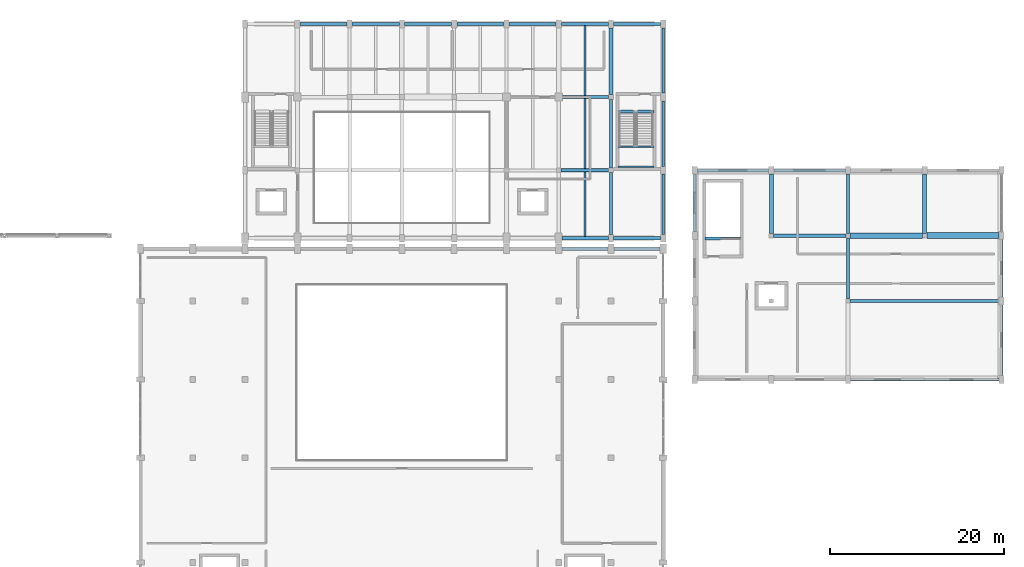
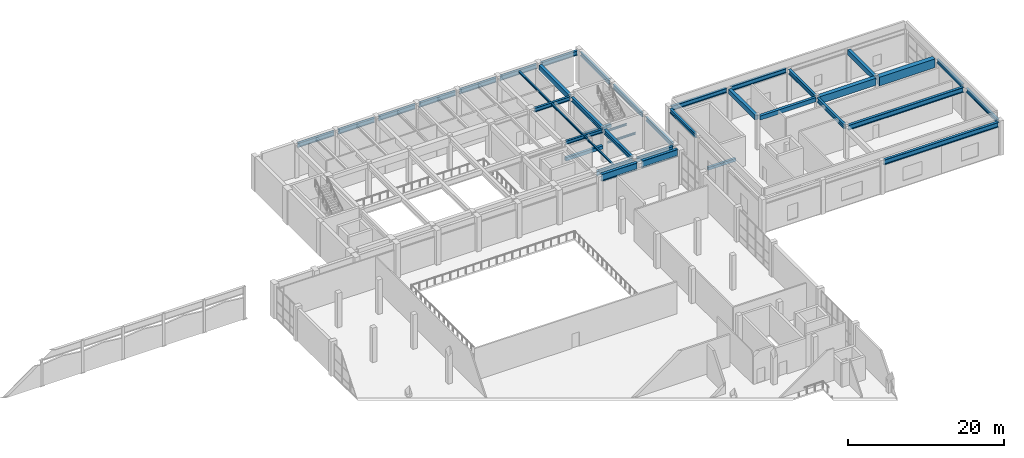
# One storey, part 19 of 41: 41 beams.
"""IFC4 building model written with IfcOpenShell, lengths in metres."""

import ifcopenshell
import ifcopenshell.guid

model = None  # the IFC model being written
_history = None  # IfcOwnerHistory: only IFC2X3 demands one
_inside = {}  # id of a spatial element -> (the spatial element, [elements in it])
_under = {}  # id of a project, library or spatial element -> (it, [spatial elements below it])
_declared = {}  # id of a project -> (the project, [libraries it declares])
_typed = {}  # id of a type object -> (the type object, [elements of that type])
_made_of = {}  # id of a material, layer set ... -> (it, [elements and type objects made of it])


def new_model(schema):
    """Start an empty IFC model of exactly this schema.

    Asked for "IFC4X3", IfcOpenShell would pick the latest addendum, in which some entities
    have other attributes; the version numbers below select the first issue.
    IFC2X3 requires an IfcOwnerHistory on every rooted entity: one is made here for all.
    """
    global model, _history
    if schema == "IFC4X3":
        model = ifcopenshell.file(schema_version=(4, 3, 0, 0))
    else:
        model = ifcopenshell.file(schema=schema)
    _inside.clear()
    _under.clear()
    _declared.clear()
    _typed.clear()
    _made_of.clear()
    _history = None
    if model.schema == "IFC2X3":
        org = make("IfcOrganization", Name="unknown")
        user = make(
            "IfcPersonAndOrganization",
            ThePerson=make("IfcPerson", FamilyName="unknown"),
            TheOrganization=org,
        )
        app = make(
            "IfcApplication",
            ApplicationDeveloper=org,
            Version="unknown",
            ApplicationFullName="unknown",
            ApplicationIdentifier="unknown",
        )
        _history = make(
            "IfcOwnerHistory",
            OwningUser=user,
            OwningApplication=app,
            ChangeAction="ADDED",
            CreationDate=0,
        )
    return model


def make(cls, **values):
    """One entity of the class cls with the attributes given. An attribute that is None is left unset."""
    return model.create_entity(
        cls, **{name: value for name, value in values.items() if value is not None}
    )


def rooted(cls, **values):
    """An entity with a GlobalId (a new one), such as an element, a storey or a relation."""
    return make(cls, GlobalId=ifcopenshell.guid.new(), OwnerHistory=_history, **values)


def si_unit(unit_type, name, prefix=None):
    """IfcSIUnit, for example si_unit("LENGTHUNIT", "METRE", prefix="MILLI")."""
    return make("IfcSIUnit", UnitType=unit_type, Prefix=prefix, Name=name)


def assignment(units):
    """IfcUnitAssignment: the units of a project."""
    return None if units is None else make("IfcUnitAssignment", Units=units)


def point(xyz):
    """IfcCartesianPoint."""
    return None if xyz is None else make("IfcCartesianPoint", Coordinates=xyz)


def direction(xyz):
    """IfcDirection."""
    return None if xyz is None else make("IfcDirection", DirectionRatios=xyz)


def frame(location, z_axis=None, x_axis=None):
    """IfcAxis2Placement3D, a coordinate frame: its origin and axes. An axis left out is left unset."""
    return make(
        "IfcAxis2Placement3D",
        Location=point(location),
        Axis=direction(z_axis),
        RefDirection=direction(x_axis),
    )


def frame_2d(location, x_axis=None):
    """IfcAxis2Placement2D, a coordinate frame in the plane: its origin and x axis."""
    return make(
        "IfcAxis2Placement2D", Location=point(location), RefDirection=direction(x_axis)
    )


def origin():
    """The frame at (0, 0, 0) with its axes left unset."""
    return frame((0.0, 0.0, 0.0))


def origin_2d():
    """The frame at (0, 0) in the plane with its x axis left unset."""
    return frame_2d((0.0, 0.0))


def place(relative_to, where):
    """IfcLocalPlacement: puts the frame where relative to a parent placement (None: the world)."""
    return make(
        "IfcLocalPlacement", PlacementRelTo=relative_to, RelativePlacement=where
    )


def context(
    kind, dimensions, precision=None, world=None, true_north=None, identifier=None
):
    """IfcGeometricRepresentationContext, for example the 3D "Model" context."""
    return make(
        "IfcGeometricRepresentationContext",
        ContextIdentifier=identifier,
        ContextType=kind,
        CoordinateSpaceDimension=dimensions,
        Precision=precision,
        WorldCoordinateSystem=world,
        TrueNorth=true_north,
    )


def subcontext(parent, identifier, kind, view, scale=None):
    """IfcGeometricRepresentationSubContext, for example "Body" below "Model"."""
    return make(
        "IfcGeometricRepresentationSubContext",
        ContextIdentifier=identifier,
        ContextType=kind,
        ParentContext=parent,
        TargetScale=scale,
        TargetView=view,
    )


def project(units=None, contexts=None):
    """IfcProject with its units and contexts."""
    return rooted(
        "IfcProject",
        Name="project",
        RepresentationContexts=contexts,
        UnitsInContext=assignment(units),
    )


def spatial(cls, under=None, at=None, **own):
    """A site, building, storey or space (cls), placed at a placement, below another one or the project."""
    s = rooted(cls, ObjectPlacement=at, **own)
    if under is not None:
        _under.setdefault(under.id(), (under, []))[1].append(s)
    return s


def profile(cls, at=None, kind="AREA", **sizes):
    """A parametric profile (cls). Its sizes go by their IFC names, for example OverallWidth=200.0."""
    return make(cls, ProfileType=kind, Position=at, **sizes)


def rectangle(**sizes):
    """IfcRectangleProfileDef."""
    return profile("IfcRectangleProfileDef", **sizes)


def i_section(**sizes):
    """IfcIShapeProfileDef."""
    return profile("IfcIShapeProfileDef", **sizes)


def extrude(swept, where, along, depth):
    """IfcExtrudedAreaSolid: the profile swept, set in the frame where, extruded along a direction by depth."""
    return make(
        "IfcExtrudedAreaSolid",
        SweptArea=swept,
        Position=where,
        ExtrudedDirection=direction(along),
        Depth=depth,
    )


def shape(context_of_items, identifier, shape_type, items):
    """IfcShapeRepresentation: the items that make up one representation, for example the "Body"."""
    return make(
        "IfcShapeRepresentation",
        ContextOfItems=context_of_items,
        RepresentationIdentifier=identifier,
        RepresentationType=shape_type,
        Items=items,
    )


def material(Name=None, Category=None):
    """IfcMaterial."""
    return make("IfcMaterial", Name=Name, Category=Category)


def material_profile(
    of_material, cross_section, Name=None, Category=None, Priority=None
):
    """IfcMaterialProfile: a cross section and its material."""
    return make(
        "IfcMaterialProfile",
        Name=Name,
        Material=of_material,
        Profile=cross_section,
        Priority=Priority,
        Category=Category,
    )


def profile_set(profiles, Name=None, composite=None):
    """IfcMaterialProfileSet."""
    return make(
        "IfcMaterialProfileSet",
        Name=Name,
        MaterialProfiles=profiles,
        CompositeProfile=composite,
    )


def made_of(thing, what):
    """Note that an element or type object is made of a material, layer set ...; save() writes the relation."""
    if what is not None:
        _made_of.setdefault(what.id(), (what, []))[1].append(thing)
    return thing


def type_object(cls, material=None, **own):
    """A type object (cls), such as IfcWallType, which elements share."""
    return made_of(rooted(cls, **own), material)


def element(
    cls,
    number,
    at=None,
    inside=None,
    cuts=None,
    type_object=None,
    material=None,
    context=None,
    identifier="Body",
    shape_type=None,
    held_by="IfcProductDefinitionShape",
    body=None,
    shapes=None,
    **own,
):
    """One element of the class cls, such as IfcWall. Its Tag is "e" and its number.

    at: its placement. inside: the storey or other place that contains it. cuts: it is an
    opening in that element (IfcRelVoidsElement). A single representation is given by context,
    identifier, shape_type and body (its items); several are given by shapes. held_by: the class
    of the entity that holds the representations. save() writes the other relations.
    """
    e = rooted(cls, Tag="e%d" % number, ObjectPlacement=at, **own)
    if body is not None:
        shapes = [shape(context, identifier, shape_type, body)]
    if shapes is not None:
        e.Representation = make(held_by, Representations=shapes)
    if inside is not None:
        _inside.setdefault(inside.id(), (inside, []))[1].append(e)
    if cuts is not None:
        rooted(
            "IfcRelVoidsElement", RelatingBuildingElement=cuts, RelatedOpeningElement=e
        )
    if type_object is not None:
        _typed.setdefault(type_object.id(), (type_object, []))[1].append(e)
    return made_of(e, material)


def aggregate(whole, parts):
    """IfcRelAggregates: a whole, such as a stair, and the parts it consists of."""
    return rooted("IfcRelAggregates", RelatingObject=whole, RelatedObjects=parts)


def save(model, path):
    """Write the relations noted so far, then the file.

    IfcRelAggregates (storeys below a building ...), IfcRelContainedInSpatialStructure (elements
    in a storey), IfcRelDefinesByType, IfcRelAssociatesMaterial and IfcRelDeclares: one each for
    every whole, place, type object, material and project.
    """
    for whole, parts in _under.values():
        aggregate(whole, parts)
    for where, things in _inside.values():
        rooted(
            "IfcRelContainedInSpatialStructure",
            RelatedElements=things,
            RelatingStructure=where,
        )
    for kind, things in _typed.values():
        rooted("IfcRelDefinesByType", RelatedObjects=things, RelatingType=kind)
    for what, things in _made_of.values():
        rooted("IfcRelAssociatesMaterial", RelatedObjects=things, RelatingMaterial=what)
    for by, libraries in _declared.values():
        rooted("IfcRelDeclares", RelatingContext=by, RelatedDefinitions=libraries)
    model.write(path)


model = new_model("IFC4")

# Units and contexts
model_context = context("Model", 3, precision=1e-05, world=origin(), true_north=direction((0.0, 1.0)))
body_context = subcontext(model_context, "Body", "Model", "MODEL_VIEW")
ifc_project = project(units=[si_unit("LENGTHUNIT", "METRE"), si_unit("AREAUNIT", "SQUARE_METRE"), si_unit("VOLUMEUNIT", "CUBIC_METRE"), si_unit("PLANEANGLEUNIT", "RADIAN"), si_unit("MASSUNIT", "GRAM", prefix="KILO")], contexts=[model_context])

# Site, building, storey
site_placement = place(None, origin())
site = spatial("IfcSite", under=ifc_project, at=site_placement, CompositionType="ELEMENT")
building_placement = place(site_placement, origin())
building = spatial("IfcBuilding", under=site, at=building_placement, Name="Vaelkrest Opera House", CompositionType="ELEMENT")
storey_placement = place(building_placement, frame((0.0, 0.0, 24.60009765625)))
storey = spatial("IfcBuildingStorey", under=building, at=storey_placement, Name="L05", CompositionType="ELEMENT", Elevation=24.60009765625)

# Beams
ifc_material_1 = material(Name="Concrete C50/60", Category="concrete")
ifc_material_profile_1 = material_profile(ifc_material_1, rectangle(XDim=0.39990234375, YDim=0.64990234375, at=origin_2d()), Name="RCB400X650")
ifc_profile_set_1 = profile_set([ifc_material_profile_1], Name="Concrete C50/60")
beam_type_1 = type_object("IfcBeamType", Name="B01", PredefinedType="BEAM", material=ifc_profile_set_1)
beam_1_placement = place(storey_placement, frame((42.64990234375, 17.699951171875, 4.77978515625), z_axis=(1.0, 0.0, 0.0), x_axis=(0.0, 1.0, 0.0)))
element("IfcBeam", 1, at=beam_1_placement, inside=storey, type_object=beam_type_1, Name="Beam BM-V4-L05-2437", PredefinedType="BEAM", context=body_context, shape_type="SweptSolid", body=[
    extrude(rectangle(XDim=0.39990234375, YDim=0.64990234375, at=origin_2d()), origin(), (0.0, 0.0, 1.0), 8.300048828125),
])
ifc_material_profile_2 = material_profile(ifc_material_1, rectangle(XDim=0.449951171875, YDim=0.75, at=origin_2d()), Name="RCB450X750")
ifc_profile_set_2 = profile_set([ifc_material_profile_2], Name="Concrete C50/60")
beam_type_2 = type_object("IfcBeamType", Name="B02", PredefinedType="BEAM", material=ifc_profile_set_2)
beam_2_placement = place(storey_placement, frame((24.0, 33.875, 4.72998046875), z_axis=(0.0, 1.0, 0.0), x_axis=(-1.0, 0.0, 0.0)))
element("IfcBeam", 2, at=beam_2_placement, inside=storey, type_object=beam_type_2, Name="Beam BM-V2-L05-1191", PredefinedType="BEAM", context=body_context, shape_type="SweptSolid", body=[
    extrude(rectangle(XDim=0.449951171875, YDim=0.75, at=origin_2d()), origin(), (0.0, 0.0, 1.0), 7.675048828125),
])
for number, where, z_axis, x_axis, name in (
    (3, (42.39990234375, 17.949951171875, 4.72998046875), (0.0, 1.0, 0.0), (-1.0, 0.0, 0.0), "Beam BM-V4-L05-2447"),
    (4, (60.0, 17.949951171875, 4.72998046875), (0.0, 1.0, 0.0), (-1.0, 0.0, 0.0), "Beam BM-V4-L05-2451"),
):
    element("IfcBeam", number, at=place(storey_placement, frame(where, z_axis=z_axis, x_axis=x_axis)), inside=storey, type_object=beam_type_2, Name=name, PredefinedType="BEAM", context=body_context, shape_type="SweptSolid", body=[
        extrude(rectangle(XDim=0.449951171875, YDim=0.75, at=origin_2d()), origin(), (0.0, 0.0, 1.0), 6.800048828125),
    ])
ifc_material_profile_3 = material_profile(ifc_material_1, rectangle(XDim=0.60009765625, YDim=1.10009765625, at=origin_2d()), Name="RCB600X1100")
ifc_profile_set_3 = profile_set([ifc_material_profile_3], Name="Concrete C50/60")
beam_type_3 = type_object("IfcBeamType", Name="B05", PredefinedType="BEAM", material=ifc_profile_set_3)
beam_3_placement = place(storey_placement, frame((51.449951171875, 17.699951171875, 4.554931640625), z_axis=(1.0, 0.0, 0.0), x_axis=(0.0, 1.0, 0.0)))
element("IfcBeam", 5, at=beam_3_placement, inside=storey, type_object=beam_type_3, Name="Beam BM-V4-L05-2438", PredefinedType="BEAM", context=body_context, shape_type="SweptSolid", body=[
    extrude(rectangle(XDim=0.60009765625, YDim=1.10009765625, at=origin_2d()), origin(), (0.0, 0.0, 1.0), 8.300048828125),
])
ifc_material_profile_4 = material_profile(ifc_material_1, rectangle(XDim=0.699951171875, YDim=1.35009765625, at=origin_2d()), Name="RCB700X1350")
ifc_profile_set_4 = profile_set([ifc_material_profile_4], Name="Concrete C50/60")
beam_type_4 = type_object("IfcBeamType", Name="B06", PredefinedType="BEAM", material=ifc_profile_set_4)
beam_4_placement = place(storey_placement, frame((60.25, 17.699951171875, 4.429931640625), z_axis=(1.0, 0.0, 0.0), x_axis=(0.0, 1.0, 0.0)))
element("IfcBeam", 6, at=beam_4_placement, inside=storey, type_object=beam_type_4, Name="Beam BM-V4-L05-2439", PredefinedType="BEAM", context=body_context, shape_type="SweptSolid", body=[
    extrude(rectangle(XDim=0.699951171875, YDim=1.35009765625, at=origin_2d()), origin(), (0.0, 0.0, 1.0), 8.25),
])
ifc_material_2 = material(Name="Steel A992 Gr50", Category="steel")
ifc_material_profile_5 = material_profile(ifc_material_2, i_section(OverallWidth=0.327880859375, OverallDepth=0.6279296875, WebThickness=0.0166015625, FlangeThickness=0.027587890625, at=origin_2d()), Name="W24X146")
ifc_profile_set_5 = profile_set([ifc_material_profile_5], Name="Steel A992 Gr50")
beam_type_5 = type_object("IfcBeamType", Name="B09", PredefinedType="BEAM", material=ifc_profile_set_5)
beam_5_placement = place(storey_placement, frame((18.449951171875, 33.60009765625, 4.791015625), z_axis=(1.0, 0.0, 0.0), x_axis=(0.0, 1.0, 0.0)))
element("IfcBeam", 7, at=beam_5_placement, inside=storey, type_object=beam_type_5, Name="Beam BM-V2-L05-1162", PredefinedType="BEAM", context=body_context, shape_type="SweptSolid", body=[
    extrude(i_section(OverallWidth=0.327880859375, OverallDepth=0.6279296875, WebThickness=0.0166015625, FlangeThickness=0.027587890625, at=origin_2d()), origin(), (0.0, 0.0, 1.0), 5.275146484375),
])
ifc_material_profile_6 = material_profile(ifc_material_2, i_section(OverallWidth=0.35498046875, OverallDepth=0.695068359375, WebThickness=0.015380859375, FlangeThickness=0.02490234375, at=origin_2d()), Name="W27X146")
ifc_profile_set_6 = profile_set([ifc_material_profile_6], Name="Steel A992 Gr50")
beam_type_6 = type_object("IfcBeamType", Name="B10", PredefinedType="BEAM", material=ifc_profile_set_6)
beam_6_placement = place(storey_placement, frame((24.0, 17.85009765625, 4.75732421875), z_axis=(0.0, 1.0, 0.0), x_axis=(-1.0, 0.0, 0.0)))
element("IfcBeam", 8, at=beam_6_placement, inside=storey, type_object=beam_type_6, Name="Beam BM-V2-L05-1189", PredefinedType="BEAM", context=body_context, shape_type="SweptSolid", body=[
    extrude(i_section(OverallWidth=0.35498046875, OverallDepth=0.695068359375, WebThickness=0.015380859375, FlangeThickness=0.02490234375, at=origin_2d()), origin(), (0.0, 0.0, 1.0), 7.074951171875),
])
beam_7_placement = place(storey_placement, frame((51.199951171875, 10.449951171875, 4.75732421875), z_axis=(0.0, 1.0, 0.0), x_axis=(-1.0, 0.0, 0.0)))
element("IfcBeam", 9, at=beam_7_placement, inside=storey, type_object=beam_type_6, Name="Beam BM-V4-L05-2449", PredefinedType="BEAM", context=body_context, shape_type="SweptSolid", body=[
    extrude(i_section(OverallWidth=0.35498046875, OverallDepth=0.695068359375, WebThickness=0.015380859375, FlangeThickness=0.02490234375, at=origin_2d()), origin(), (0.0, 0.0, 1.0), 7.0),
])
ifc_material_profile_7 = material_profile(ifc_material_2, i_section(OverallWidth=0.35791015625, OverallDepth=0.7060546875, WebThickness=0.018310546875, FlangeThickness=0.0302734375, at=origin_2d()), Name="W27X178")
ifc_profile_set_7 = profile_set([ifc_material_profile_7], Name="Steel A992 Gr50")
beam_type_7 = type_object("IfcBeamType", Name="B14", PredefinedType="BEAM", material=ifc_profile_set_7)
beam_8_placement = place(storey_placement, frame((24.0, 25.47509765625, 4.751953125), z_axis=(0.0, 1.0, 0.0), x_axis=(-1.0, 0.0, 0.0)))
element("IfcBeam", 10, at=beam_8_placement, inside=storey, type_object=beam_type_7, Name="Beam BM-V2-L05-1190", PredefinedType="BEAM", context=body_context, shape_type="SweptSolid", body=[
    extrude(i_section(OverallWidth=0.35791015625, OverallDepth=0.7060546875, WebThickness=0.018310546875, FlangeThickness=0.0302734375, at=origin_2d()), origin(), (0.0, 0.0, 1.0), 7.849853515625),
])
beam_9_placement = place(storey_placement, frame((51.199951171875, 17.949951171875, 4.751953125), z_axis=(0.0, 1.0, 0.0), x_axis=(-1.0, 0.0, 0.0)))
element("IfcBeam", 11, at=beam_9_placement, inside=storey, type_object=beam_type_7, Name="Beam BM-V4-L05-2450", PredefinedType="BEAM", context=body_context, shape_type="SweptSolid", body=[
    extrude(i_section(OverallWidth=0.35791015625, OverallDepth=0.7060546875, WebThickness=0.018310546875, FlangeThickness=0.0302734375, at=origin_2d()), origin(), (0.0, 0.0, 1.0), 6.800048828125),
])
ifc_material_profile_8 = material_profile(ifc_material_2, i_section(OverallWidth=0.384033203125, OverallDepth=0.785888671875, WebThickness=0.019775390625, FlangeThickness=0.033447265625, at=origin_2d()), Name="W30X211")
ifc_profile_set_8 = profile_set([ifc_material_profile_8], Name="Steel A992 Gr50")
beam_type_8 = type_object("IfcBeamType", Name="B16", PredefinedType="BEAM", material=ifc_profile_set_8)
beam_10_placement = place(storey_placement, frame((51.449951171875, 10.199951171875, 4.7119140625), z_axis=(1.0, 0.0, 0.0), x_axis=(0.0, 1.0, 0.0)))
element("IfcBeam", 12, at=beam_10_placement, inside=storey, type_object=beam_type_8, Name="Beam BM-V4-L05-2436", PredefinedType="BEAM", context=body_context, shape_type="SweptSolid", body=[
    extrude(i_section(OverallWidth=0.384033203125, OverallDepth=0.785888671875, WebThickness=0.019775390625, FlangeThickness=0.033447265625, at=origin_2d()), origin(), (0.0, 0.0, 1.0), 17.050048828125),
])
ifc_material_profile_9 = material_profile(ifc_material_2, i_section(OverallWidth=0.31494140625, OverallDepth=0.551025390625, WebThickness=0.01513671875, FlangeThickness=0.0244140625, at=origin_2d()), Name="W21X122")
ifc_profile_set_9 = profile_set([ifc_material_profile_9], Name="Steel A992 Gr50")
beam_type_9 = type_object("IfcBeamType", Name="B20", PredefinedType="BEAM", material=ifc_profile_set_9)
beam_11_placement = place(storey_placement, frame((18.27490234375, 25.199951171875, 4.829345703125), z_axis=(1.0, 0.0, 0.0), x_axis=(0.0, 1.0, 0.0)))
element("IfcBeam", 13, at=beam_11_placement, inside=storey, type_object=beam_type_9, Name="Beam BM-V2-L05-1156", PredefinedType="BEAM", context=body_context, shape_type="SweptSolid", body=[
    extrude(i_section(OverallWidth=0.31494140625, OverallDepth=0.551025390625, WebThickness=0.01513671875, FlangeThickness=0.0244140625, at=origin_2d()), origin(), (0.0, 0.0, 1.0), 5.4501953125),
])
ifc_material_profile_10 = material_profile(ifc_material_2, i_section(OverallWidth=0.2041015625, OverallDepth=0.257080078125, WebThickness=0.0087890625, FlangeThickness=0.015625, at=origin_2d()), Name="W10X45")
ifc_profile_set_10 = profile_set([ifc_material_profile_10], Name="Steel A992 Gr50")
beam_type_10 = type_object("IfcBeamType", Name="J01", PredefinedType="JOIST", material=ifc_profile_set_10)
beam_12_placement = place(storey_placement, frame((21.0, 17.577392578125, 4.976318359375), z_axis=(0.0, 1.0, 0.0), x_axis=(-1.0, 0.0, 0.0)))
element("IfcBeam", 14, at=beam_12_placement, inside=storey, type_object=beam_type_10, Name="Floor joist JST-V2-L05-1201", PredefinedType="JOIST", context=body_context, shape_type="SweptSolid", body=[
    extrude(i_section(OverallWidth=0.2041015625, OverallDepth=0.257080078125, WebThickness=0.0087890625, FlangeThickness=0.015625, at=origin_2d()), origin(), (0.0, 0.0, 1.0), 7.465087890625),
])
ifc_material_profile_11 = material_profile(ifc_material_2, i_section(OverallWidth=0.202880859375, OverallDepth=0.302978515625, WebThickness=0.007568359375, FlangeThickness=0.01318359375, at=origin_2d()), Name="W12X40")
ifc_profile_set_11 = profile_set([ifc_material_profile_11], Name="Steel A992 Gr50")
beam_type_11 = type_object("IfcBeamType", Name="J02", PredefinedType="JOIST", material=ifc_profile_set_11)
beam_13_placement = place(storey_placement, frame((21.0, 25.357421875, 4.953369140625), z_axis=(0.0, 1.0, 0.0), x_axis=(-1.0, 0.0, 0.0)))
element("IfcBeam", 15, at=beam_13_placement, inside=storey, type_object=beam_type_11, Name="Floor joist JST-V2-L05-1202", PredefinedType="JOIST", context=body_context, shape_type="SweptSolid", body=[
    extrude(i_section(OverallWidth=0.202880859375, OverallDepth=0.302978515625, WebThickness=0.007568359375, FlangeThickness=0.01318359375, at=origin_2d()), origin(), (0.0, 0.0, 1.0), 8.07861328125),
])
for number, where, z_axis, x_axis, name in (
    (16, (24.780029296875, 25.6201171875, 2.348388671875), (1.0, 0.0, 0.0), (0.0, 1.0, 0.0), "Stair landing bearer beam ST06 L05-1N"),
    (17, (24.780029296875, 27.909912109375, 2.348388671875), (1.0, 0.0, 0.0), (0.0, 1.0, 0.0), "Stair landing bearer beam ST06 L05-1F"),
):
    element("IfcBeam", number, at=place(storey_placement, frame(where, z_axis=z_axis, x_axis=x_axis)), inside=storey, type_object=beam_type_11, Name=name, PredefinedType="JOIST", context=body_context, shape_type="SweptSolid", body=[
        extrude(i_section(OverallWidth=0.202880859375, OverallDepth=0.302978515625, WebThickness=0.007568359375, FlangeThickness=0.01318359375, at=origin_2d()), origin(), (0.0, 0.0, 1.0), 4.139892578125),
    ])
ifc_material_profile_12 = material_profile(ifc_material_2, i_section(OverallWidth=0.25390625, OverallDepth=0.305908203125, WebThickness=0.0087890625, FlangeThickness=0.0146484375, at=origin_2d()), Name="W12X53")
ifc_profile_set_12 = profile_set([ifc_material_profile_12], Name="Steel A992 Gr50")
beam_type_12 = type_object("IfcBeamType", Name="J03", PredefinedType="JOIST", material=ifc_profile_set_12)
beam_14_placement = place(storey_placement, frame((21.0, 33.763916015625, 4.951904296875), z_axis=(0.0, 1.0, 0.0), x_axis=(-1.0, 0.0, 0.0)))
element("IfcBeam", 18, at=beam_14_placement, inside=storey, type_object=beam_type_12, Name="Floor joist JST-V2-L05-1203", PredefinedType="JOIST", context=body_context, shape_type="SweptSolid", body=[
    extrude(i_section(OverallWidth=0.25390625, OverallDepth=0.305908203125, WebThickness=0.0087890625, FlangeThickness=0.0146484375, at=origin_2d()), origin(), (0.0, 0.0, 1.0), 8.05859375),
])
ifc_material_profile_13 = material_profile(ifc_material_1, rectangle(XDim=0.35009765625, YDim=0.449951171875, at=origin_2d()), Name="RCB350X450")
ifc_profile_set_13 = profile_set([ifc_material_profile_13], Name="Concrete C50/60")
beam_type_13 = type_object("IfcBeamType", Name="LN01", PredefinedType="LINTEL", material=ifc_profile_set_13)
for number, where, z_axis, x_axis, name in (
    (19, (24.780029296875, 31.949951171875, -0.22509765625), (1.0, 0.0, 0.0), (0.0, 1.0, 0.0), "Stairwell trimmer beam ST06 L05"),
    (20, (34.780029296875, 17.35009765625, -0.22509765625), (1.0, 0.0, 0.0), (0.0, 1.0, 0.0), "Stairwell trimmer beam ST09 L05"),
):
    element("IfcBeam", number, at=place(storey_placement, frame(where, z_axis=z_axis, x_axis=x_axis)), inside=storey, type_object=beam_type_13, Name=name, PredefinedType="LINTEL", context=body_context, shape_type="SweptSolid", body=[
        extrude(rectangle(XDim=0.35009765625, YDim=0.449951171875, at=origin_2d()), origin(), (0.0, 0.0, 1.0), 4.139892578125),
    ])
ifc_material_profile_14 = material_profile(ifc_material_1, rectangle(XDim=0.39990234375, YDim=0.52001953125, at=origin_2d()), Name="RCB400X520")
ifc_profile_set_14 = profile_set([ifc_material_profile_14], Name="Concrete C50/60")
beam_type_14 = type_object("IfcBeamType", Name="LN02", PredefinedType="LINTEL", material=ifc_profile_set_14)
beam_15_placement = place(storey_placement, frame((18.25, 25.199951171875, 2.2998046875), z_axis=(1.0, 0.0, 0.0), x_axis=(0.0, 1.0, 0.0)))
element("IfcBeam", 21, at=beam_15_placement, inside=storey, type_object=beam_type_14, Name="Portal lintel L05-2", PredefinedType="LINTEL", context=body_context, shape_type="SweptSolid", body=[
    extrude(rectangle(XDim=0.39990234375, YDim=0.52001953125, at=origin_2d()), origin(), (0.0, 0.0, 1.0), 5.5),
])
ifc_material_profile_15 = material_profile(ifc_material_2, i_section(OverallWidth=0.323974609375, OverallDepth=0.611083984375, WebThickness=0.0126953125, FlangeThickness=0.01904296875, at=origin_2d()), Name="W24X104")
ifc_profile_set_15 = profile_set([ifc_material_profile_15], Name="Steel A992 Gr50")
beam_type_15 = type_object("IfcBeamType", Name="SP01", PredefinedType="SPANDREL", material=ifc_profile_set_15)
beam_16_placement = place(storey_placement, frame((30.0, 17.85009765625, 4.79931640625), z_axis=(0.0, 1.0, 0.0), x_axis=(-1.0, 0.0, 0.0)))
element("IfcBeam", 22, at=beam_16_placement, inside=storey, type_object=beam_type_15, Name="Beam BM-V2-L05-1192", PredefinedType="SPANDREL", context=body_context, shape_type="SweptSolid", body=[
    extrude(i_section(OverallWidth=0.323974609375, OverallDepth=0.611083984375, WebThickness=0.0126953125, FlangeThickness=0.01904296875, at=origin_2d()), origin(), (0.0, 0.0, 1.0), 6.89990234375),
])
for number, where, z_axis, x_axis, name in (
    (23, (30.0, 25.64990234375, 4.79931640625), (0.0, 1.0, 0.0), (-1.0, 0.0, 0.0), "Beam BM-V2-L05-1193"),
    (24, (30.0, 34.050048828125, 4.79931640625), (0.0, 1.0, 0.0), (-1.0, 0.0, 0.0), "Beam BM-V2-L05-1194"),
):
    element("IfcBeam", number, at=place(storey_placement, frame(where, z_axis=z_axis, x_axis=x_axis)), inside=storey, type_object=beam_type_15, Name=name, PredefinedType="SPANDREL", context=body_context, shape_type="SweptSolid", body=[
        extrude(i_section(OverallWidth=0.323974609375, OverallDepth=0.611083984375, WebThickness=0.0126953125, FlangeThickness=0.01904296875, at=origin_2d()), origin(), (0.0, 0.0, 1.0), 7.5),
    ])
beam_17_placement = place(storey_placement, frame((33.60009765625, 18.14990234375, 4.79931640625), z_axis=(0.0, 1.0, 0.0), x_axis=(-1.0, 0.0, 0.0)))
element("IfcBeam", 25, at=beam_17_placement, inside=storey, type_object=beam_type_15, Name="Beam BM-V4-L05-2446", PredefinedType="SPANDREL", context=body_context, shape_type="SweptSolid", body=[
    extrude(i_section(OverallWidth=0.323974609375, OverallDepth=0.611083984375, WebThickness=0.0126953125, FlangeThickness=0.01904296875, at=origin_2d()), origin(), (0.0, 0.0, 1.0), 6.60009765625),
])
beam_18_placement = place(storey_placement, frame((68.800048828125, 1.64990234375, 4.79931640625), z_axis=(0.0, 1.0, 0.0), x_axis=(-1.0, 0.0, 0.0)))
element("IfcBeam", 26, at=beam_18_placement, inside=storey, type_object=beam_type_15, Name="Beam BM-V4-L05-2452", PredefinedType="SPANDREL", context=body_context, shape_type="SweptSolid", body=[
    extrude(i_section(OverallWidth=0.323974609375, OverallDepth=0.611083984375, WebThickness=0.0126953125, FlangeThickness=0.01904296875, at=origin_2d()), origin(), (0.0, 0.0, 1.0), 8.10009765625),
])
beam_19_placement = place(storey_placement, frame((68.800048828125, 10.64990234375, 4.79931640625), z_axis=(0.0, 1.0, 0.0), x_axis=(-1.0, 0.0, 0.0)))
element("IfcBeam", 27, at=beam_19_placement, inside=storey, type_object=beam_type_15, Name="Beam BM-V4-L05-2453", PredefinedType="SPANDREL", context=body_context, shape_type="SweptSolid", body=[
    extrude(i_section(OverallWidth=0.323974609375, OverallDepth=0.611083984375, WebThickness=0.0126953125, FlangeThickness=0.01904296875, at=origin_2d()), origin(), (0.0, 0.0, 1.0), 6.60009765625),
])
ifc_material_profile_16 = material_profile(ifc_material_2, i_section(OverallWidth=0.35498046875, OverallDepth=0.695068359375, WebThickness=0.015380859375, FlangeThickness=0.02490234375, at=origin_2d()), Name="W27X146")
ifc_profile_set_16 = profile_set([ifc_material_profile_16], Name="Steel A992 Gr50")
beam_type_16 = type_object("IfcBeamType", Name="SP02", PredefinedType="SPANDREL", material=ifc_profile_set_16)
beam_20_placement = place(storey_placement, frame((18.39990234375, 17.39990234375, 4.75732421875), z_axis=(1.0, 0.0, 0.0), x_axis=(0.0, 1.0, 0.0)))
element("IfcBeam", 28, at=beam_20_placement, inside=storey, type_object=beam_type_16, Name="Beam BM-V2-L05-1152", PredefinedType="SPANDREL", context=body_context, shape_type="SweptSolid", body=[
    extrude(i_section(OverallWidth=0.35498046875, OverallDepth=0.695068359375, WebThickness=0.015380859375, FlangeThickness=0.02490234375, at=origin_2d()), origin(), (0.0, 0.0, 1.0), 5.300048828125),
])
for number, where, z_axis, x_axis, name in (
    (29, (24.300048828125, 17.39990234375, 4.75732421875), (1.0, 0.0, 0.0), (0.0, 1.0, 0.0), "Beam BM-V2-L05-1153"),
    (30, (-11.699951171875, 42.0, 4.75732421875), (1.0, 0.0, 0.0), (0.0, 1.0, 0.0), "Beam BM-V2-L05-1164"),
    (31, (-5.699951171875, 42.0, 4.75732421875), (1.0, 0.0, 0.0), (0.0, 1.0, 0.0), "Beam BM-V2-L05-1165"),
    (32, (0.300048828125, 42.0, 4.75732421875), (1.0, 0.0, 0.0), (0.0, 1.0, 0.0), "Beam BM-V2-L05-1166"),
    (33, (6.300048828125, 42.0, 4.75732421875), (1.0, 0.0, 0.0), (0.0, 1.0, 0.0), "Beam BM-V2-L05-1167"),
    (34, (12.300048828125, 42.0, 4.75732421875), (1.0, 0.0, 0.0), (0.0, 1.0, 0.0), "Beam BM-V2-L05-1168"),
    (35, (18.300048828125, 42.0, 4.75732421875), (1.0, 0.0, 0.0), (0.0, 1.0, 0.0), "Beam BM-V2-L05-1169"),
    (36, (24.300048828125, 42.0, 4.75732421875), (1.0, 0.0, 0.0), (0.0, 1.0, 0.0), "Beam BM-V2-L05-1170"),
):
    element("IfcBeam", number, at=place(storey_placement, frame(where, z_axis=z_axis, x_axis=x_axis)), inside=storey, type_object=beam_type_16, Name=name, PredefinedType="SPANDREL", context=body_context, shape_type="SweptSolid", body=[
        extrude(i_section(OverallWidth=0.35498046875, OverallDepth=0.695068359375, WebThickness=0.015380859375, FlangeThickness=0.02490234375, at=origin_2d()), origin(), (0.0, 0.0, 1.0), 5.39990234375),
    ])
beam_21_placement = place(storey_placement, frame((33.89990234375, 25.199951171875, 4.75732421875), z_axis=(1.0, 0.0, 0.0), x_axis=(0.0, 1.0, 0.0)))
element("IfcBeam", 37, at=beam_21_placement, inside=storey, type_object=beam_type_16, Name="Beam BM-V4-L05-2440", PredefinedType="SPANDREL", context=body_context, shape_type="SweptSolid", body=[
    extrude(i_section(OverallWidth=0.35498046875, OverallDepth=0.695068359375, WebThickness=0.015380859375, FlangeThickness=0.02490234375, at=origin_2d()), origin(), (0.0, 0.0, 1.0), 8.2001953125),
])
beam_22_placement = place(storey_placement, frame((42.699951171875, 25.199951171875, 4.75732421875), z_axis=(1.0, 0.0, 0.0), x_axis=(0.0, 1.0, 0.0)))
element("IfcBeam", 38, at=beam_22_placement, inside=storey, type_object=beam_type_16, Name="Beam BM-V4-L05-2441", PredefinedType="SPANDREL", context=body_context, shape_type="SweptSolid", body=[
    extrude(i_section(OverallWidth=0.35498046875, OverallDepth=0.695068359375, WebThickness=0.015380859375, FlangeThickness=0.02490234375, at=origin_2d()), origin(), (0.0, 0.0, 1.0), 8.199951171875),
])
ifc_material_profile_17 = material_profile(ifc_material_2, i_section(OverallWidth=0.381103515625, OverallDepth=0.77294921875, WebThickness=0.0166015625, FlangeThickness=0.027099609375, at=origin_2d()), Name="W30X173")
ifc_profile_set_17 = profile_set([ifc_material_profile_17], Name="Steel A992 Gr50")
beam_type_17 = type_object("IfcBeamType", Name="SP03", PredefinedType="SPANDREL", material=ifc_profile_set_17)
beam_23_placement = place(storey_placement, frame((51.5, 1.199951171875, 4.718505859375), z_axis=(1.0, 0.0, 0.0), x_axis=(0.0, 1.0, 0.0)))
element("IfcBeam", 39, at=beam_23_placement, inside=storey, type_object=beam_type_17, Name="Beam BM-V4-L05-2435", PredefinedType="SPANDREL", context=body_context, shape_type="SweptSolid", body=[
    extrude(i_section(OverallWidth=0.381103515625, OverallDepth=0.77294921875, WebThickness=0.0166015625, FlangeThickness=0.027099609375, at=origin_2d()), origin(), (0.0, 0.0, 1.0), 17.0),
])
ifc_material_profile_18 = material_profile(ifc_material_2, i_section(OverallWidth=0.405029296875, OverallDepth=1.117919921875, WebThickness=0.02587890625, FlangeThickness=0.044921875, at=origin_2d()), Name="W44X335")
ifc_profile_set_18 = profile_set([ifc_material_profile_18], Name="Steel A992 Gr50")
beam_type_18 = type_object("IfcBeamType", Name="SP05", PredefinedType="SPANDREL", material=ifc_profile_set_18)
for number, where, z_axis, x_axis, name in (
    (40, (18.35009765625, 16.199951171875, 4.82080078125), (1.0, 0.0, 0.0), (0.0, 1.0, 0.0), "Beam BM-V1-L05-0645"),
    (41, (24.35009765625, 16.199951171875, 4.82080078125), (1.0, 0.0, 0.0), (0.0, 1.0, 0.0), "Beam BM-V1-L05-0646"),
):
    element("IfcBeam", number, at=place(storey_placement, frame(where, z_axis=z_axis, x_axis=x_axis)), inside=storey, type_object=beam_type_18, Name=name, PredefinedType="SPANDREL", context=body_context, shape_type="SweptSolid", body=[
        extrude(i_section(OverallWidth=0.405029296875, OverallDepth=1.117919921875, WebThickness=0.02587890625, FlangeThickness=0.044921875, at=origin_2d()), origin(), (0.0, 0.0, 1.0), 5.2998046875),
    ])

save(model, "model.ifc")
